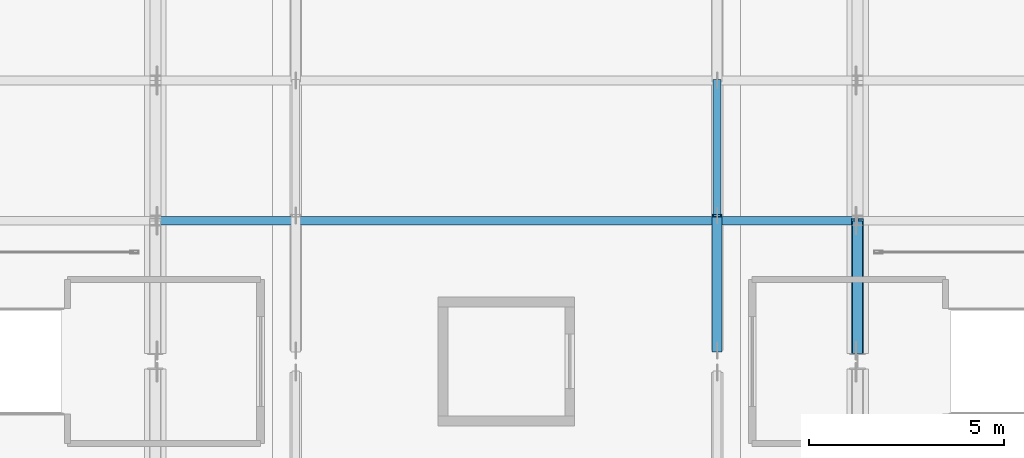
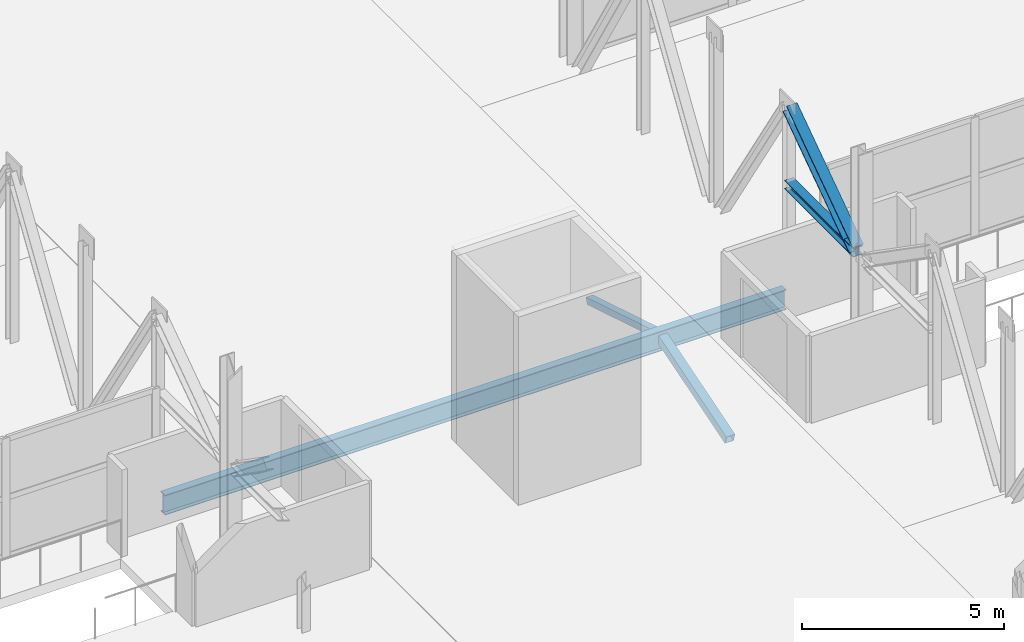
# One storey, part 102 of 191: 4 members, 1 beam.
"""IFC4 building model written with IfcOpenShell, lengths in metres."""

from ifc_helpers import new_model, si_unit, direction, frame, origin, origin_2d, place, context, subcontext, project, spatial, hollow_rectangle, i_section, extrude, material, material_profile, profile_set, type_object, element, save


model = new_model("IFC4")

# Units and contexts
model_context = context("Model", 3, precision=1e-05, world=origin(), true_north=direction((0.0, 1.0)))
body_context = subcontext(model_context, "Body", "Model", "MODEL_VIEW")
ifc_project = project(units=[si_unit("LENGTHUNIT", "METRE"), si_unit("AREAUNIT", "SQUARE_METRE"), si_unit("VOLUMEUNIT", "CUBIC_METRE"), si_unit("PLANEANGLEUNIT", "RADIAN"), si_unit("MASSUNIT", "GRAM", prefix="KILO")], contexts=[model_context])

# Site, building, storey
site_placement = place(None, origin())
site = spatial("IfcSite", under=ifc_project, at=site_placement, CompositionType="ELEMENT")
building_placement = place(site_placement, origin())
building = spatial("IfcBuilding", under=site, at=building_placement, Name="Tamarisk Ironworks Central Station", CompositionType="ELEMENT")
storey_placement = place(building_placement, frame((0.0, 0.0, 6.60009765625)))
storey = spatial("IfcBuildingStorey", under=building, at=storey_placement, Name="L01", CompositionType="ELEMENT", Elevation=6.60009765625)

# Beam
ifc_material_1 = material(Name="Structural steel S355J2", Category="steel")
ifc_material_profile_1 = material_profile(ifc_material_1, i_section(OverallWidth=0.219970703125, OverallDepth=0.60009765625, WebThickness=0.011962890625, FlangeThickness=0.01904296875, at=origin_2d()), Name="IPE 600")
ifc_profile_set_1 = profile_set([ifc_material_profile_1], Name="Structural steel S355J2")
beam_type = type_object("IfcBeamType", Name="BM-B01", PredefinedType="BEAM", material=ifc_profile_set_1)
beam_placement = place(storey_placement, frame((72.135009765625, 68.39990234375, -0.60009765625), z_axis=(1.0, 0.0, 0.0), x_axis=(0.0, 1.0, 0.0)))
element("IfcBeam", 1, at=beam_placement, inside=storey, type_object=beam_type, Name="L01 secondary composite beam 0024", PredefinedType="BEAM", context=body_context, shape_type="SweptSolid", body=[
    extrude(i_section(OverallWidth=0.219970703125, OverallDepth=0.60009765625, WebThickness=0.011962890625, FlangeThickness=0.01904296875, at=origin_2d()), origin(), (0.0, 0.0, 1.0), 17.72998046875),
])

# Members
ifc_material_2 = material(Name="Structural steel S355J2H", Category="steel")
ifc_material_profile_2 = material_profile(ifc_material_2, hollow_rectangle(XDim=0.25, YDim=0.25, WallThickness=0.012451171875, at=origin_2d()), Name="SHS 250x250x12.5")
ifc_profile_set_2 = profile_set([ifc_material_profile_2], Name="Structural steel S355J2H")
member_type_1 = type_object("IfcMemberType", Name="MB-BR01", PredefinedType="BRACE", material=ifc_profile_set_2)
member_1_placement = place(storey_placement, frame((86.39990234375, 65.080078125, -1.64013671875), z_axis=(0.0, 0.956131332595, 0.292938346467), x_axis=(-1.0, 0.0, 0.0)))
element("IfcMember", 2, at=member_1_placement, inside=storey, type_object=member_type_1, Name="Bridge deck stiffening web brace 181", PredefinedType="BRACE", context=body_context, shape_type="SweptSolid", body=[
    extrude(hollow_rectangle(XDim=0.25, YDim=0.25, WallThickness=0.012451171875, at=origin_2d()), origin(), (0.0, 0.0, 1.0), 3.61865234375),
])
ifc_material_profile_3 = material_profile(ifc_material_2, hollow_rectangle(XDim=0.199951171875, YDim=0.199951171875, WallThickness=0.010009765625, at=origin_2d()), Name="SHS 200x200x10")
ifc_profile_set_3 = profile_set([ifc_material_profile_3], Name="Structural steel S355J2H")
member_type_2 = type_object("IfcMemberType", Name="MB-BR02", PredefinedType="BRACE", material=ifc_profile_set_3)
member_2_placement = place(storey_placement, frame((86.39990234375, 68.5400390625, -0.580078125), z_axis=(0.0, 0.956131332595, -0.292938346467), x_axis=(-1.0, 0.0, 0.0)))
element("IfcMember", 3, at=member_2_placement, inside=storey, type_object=member_type_2, Name="Bridge deck stiffening web brace 182", PredefinedType="BRACE", context=body_context, shape_type="SweptSolid", body=[
    extrude(hollow_rectangle(XDim=0.199951171875, YDim=0.199951171875, WallThickness=0.010009765625, at=origin_2d()), origin(), (0.0, 0.0, 1.0), 3.61865234375),
])
ifc_material_profile_4 = material_profile(ifc_material_1, i_section(OverallWidth=0.300048828125, OverallDepth=0.340087890625, WebThickness=0.011962890625, FlangeThickness=0.021484375, at=origin_2d()), Name="HEB 340")
ifc_profile_set_4 = profile_set([ifc_material_profile_4], Name="Structural steel S355J2")
member_type_3 = type_object("IfcMemberType", Name="MB-TTD01", PredefinedType="BRACE", material=ifc_profile_set_4)
member_3_placement = place(storey_placement, frame((90.0, 65.080078125, 2.83984375), z_axis=(0.0, 0.821108198798, 0.570772569302), x_axis=(-1.0, 0.0, 0.0)))
element("IfcMember", 4, at=member_3_placement, inside=storey, type_object=member_type_3, Name="Transfer truss diagonal 078", PredefinedType="BRACE", context=body_context, shape_type="SweptSolid", body=[
    extrude(i_section(OverallWidth=0.300048828125, OverallDepth=0.340087890625, WebThickness=0.011962890625, FlangeThickness=0.021484375, at=origin_2d()), origin(), (0.0, 0.0, 1.0), 3.99462890625),
])
ifc_material_profile_5 = material_profile(ifc_material_1, i_section(OverallWidth=0.260009765625, OverallDepth=0.260009765625, WebThickness=0.010009765625, FlangeThickness=0.017578125, at=origin_2d()), Name="HEB 260")
ifc_profile_set_5 = profile_set([ifc_material_profile_5], Name="Structural steel S355J2")
member_type_4 = type_object("IfcMemberType", Name="MB-TTP01", PredefinedType="POST", material=ifc_profile_set_5)
member_4_placement = place(storey_placement, frame((90.0, 65.0, 2.7998046875), z_axis=(0.0, 1.0, 0.0), x_axis=(-1.0, 0.0, 0.0)))
element("IfcMember", 5, at=member_4_placement, inside=storey, type_object=member_type_4, Name="Transfer truss portal chord 14", PredefinedType="POST", context=body_context, shape_type="SweptSolid", body=[
    extrude(i_section(OverallWidth=0.260009765625, OverallDepth=0.260009765625, WebThickness=0.010009765625, FlangeThickness=0.017578125, at=origin_2d()), origin(), (0.0, 0.0, 1.0), 3.39990234375),
])

save(model, "model.ifc")
